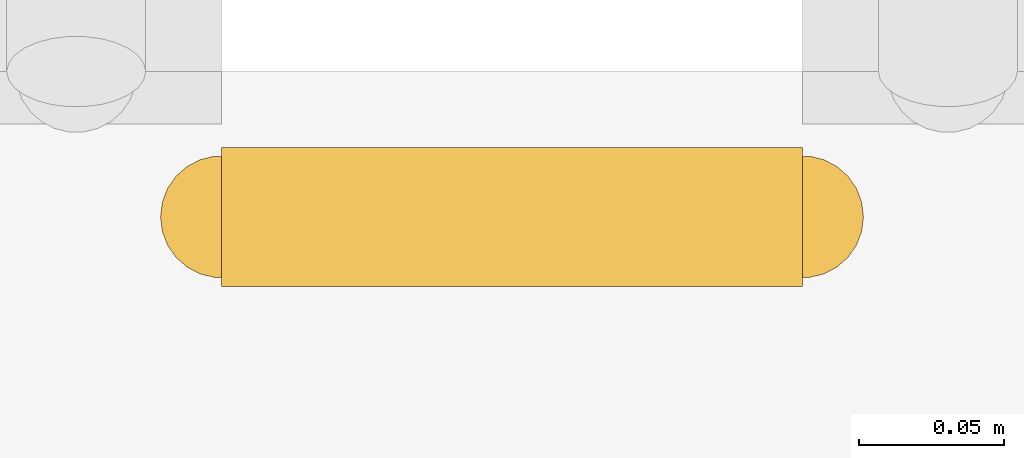
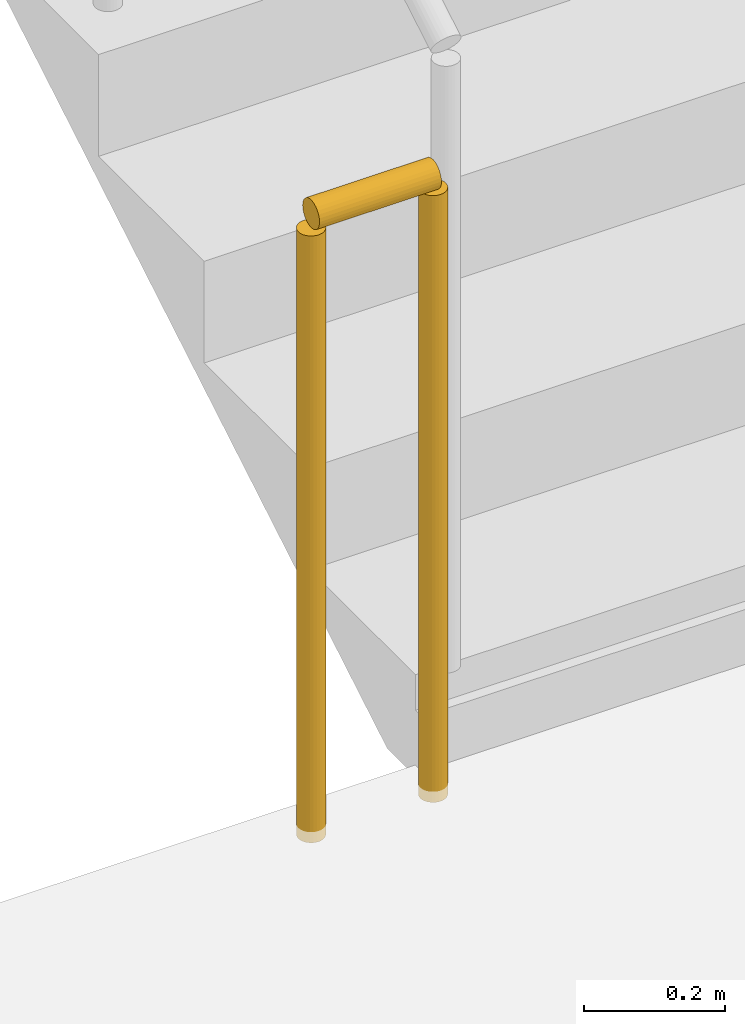
# One storey, part 179 of 191: 1 railing.
"""IFC4 building model written with IfcOpenShell, lengths in metres."""

from ifc_helpers import new_model, si_unit, direction, frame, origin, origin_2d, place, context, subcontext, project, spatial, circle, extrude, material, type_object, element, save


model = new_model("IFC4")

# Units and contexts
model_context = context("Model", 3, precision=1e-05, world=origin(), true_north=direction((0.0, 1.0)))
body_context = subcontext(model_context, "Body", "Model", "MODEL_VIEW")
ifc_project = project(units=[si_unit("LENGTHUNIT", "METRE"), si_unit("AREAUNIT", "SQUARE_METRE"), si_unit("VOLUMEUNIT", "CUBIC_METRE"), si_unit("PLANEANGLEUNIT", "RADIAN"), si_unit("MASSUNIT", "GRAM", prefix="KILO")], contexts=[model_context])

# Site, building, storey
site_placement = place(None, origin())
site = spatial("IfcSite", under=ifc_project, at=site_placement, CompositionType="ELEMENT")
building_placement = place(site_placement, origin())
building = spatial("IfcBuilding", under=site, at=building_placement, Name="Tamarisk Ironworks Central Station", CompositionType="ELEMENT")
storey_placement = place(building_placement, frame((0.0, 0.0, 6.60009765625)))
storey = spatial("IfcBuildingStorey", under=building, at=storey_placement, Name="L01", CompositionType="ELEMENT", Elevation=6.60009765625)

# Railing
ifc_material = material(Name="Brushed stainless steel AISI 316", Category="steel")
railing_type = type_object("IfcRailingType", Name="RL-GUARD-INT", PredefinedType="BALUSTRADE", material=ifc_material)
railing_placement = place(storey_placement, frame((13.949951171875, 93.64990234375, 0.0)))
element("IfcRailing", 1, at=railing_placement, inside=storey, type_object=railing_type, Name="L01 ST-C6 stair guard 4", PredefinedType="BALUSTRADE", context=body_context, shape_type="SweptSolid", body=[
    extrude(circle(Radius=0.02392578125, at=origin_2d()), frame((0.0, 0.0, 1.076171875), z_axis=(-1.0, 0.0, 0.0), x_axis=(0.0, -1.0, 0.0)), (0.0, 0.0, 1.0), 0.199951171875),
    extrude(circle(Radius=0.02099609375, at=origin_2d()), origin(), (0.0, 0.0, 1.0), 1.052001953125),
    extrude(circle(Radius=0.02099609375, at=origin_2d()), frame((-0.199951171875, 0.0, 0.0)), (0.0, 0.0, 1.0), 1.052001953125),
])

save(model, "model.ifc")
